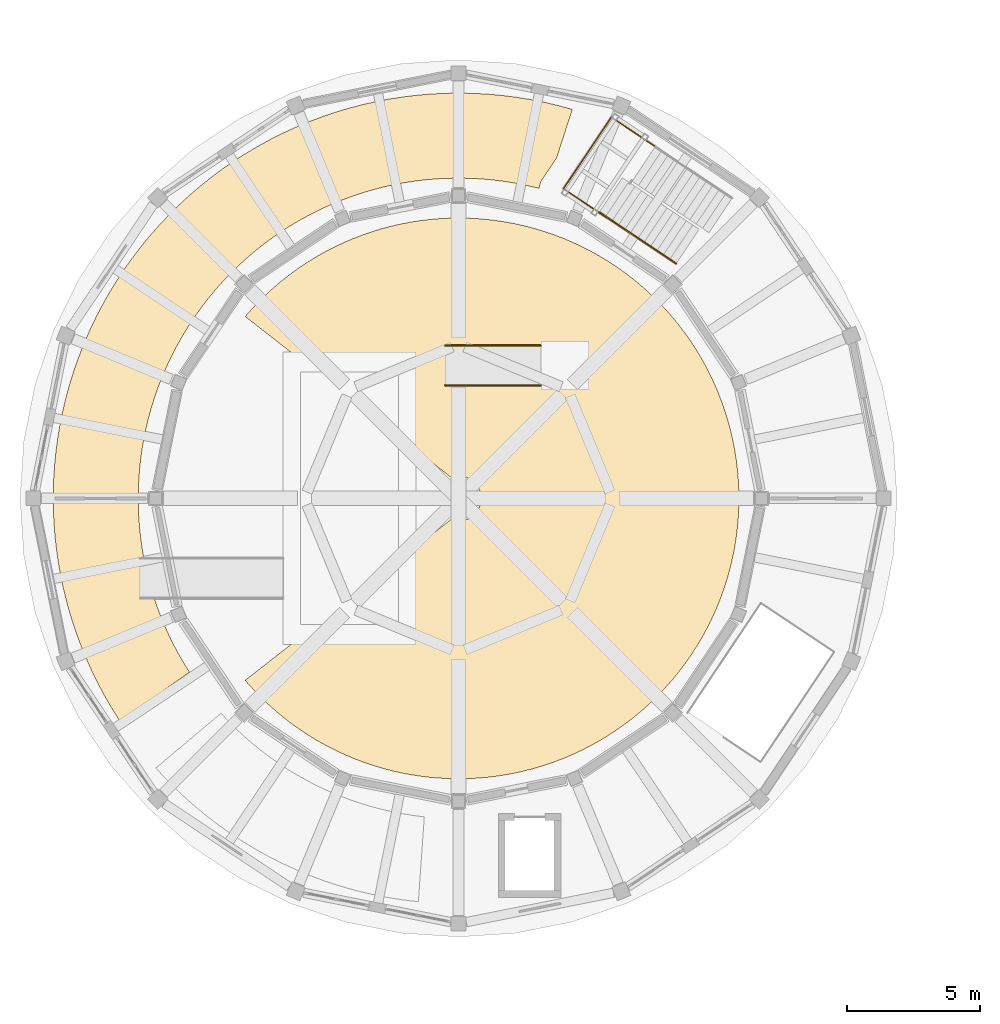
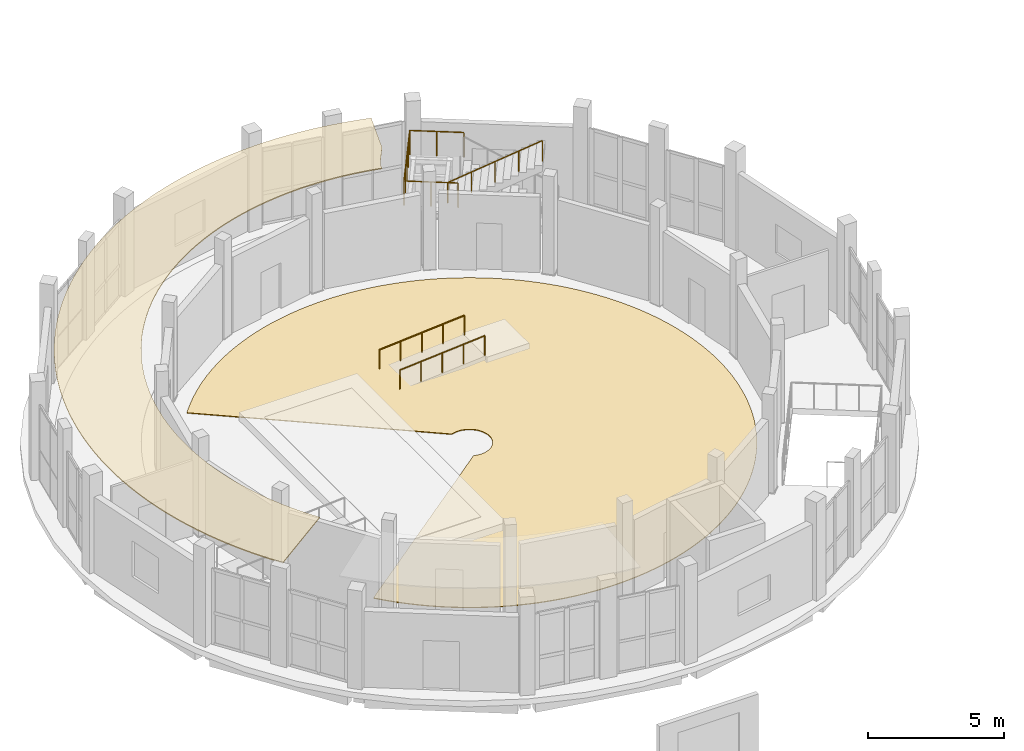
# One storey, part 87 of 92: 4 railings, 2 coverings.
"""IFC4 building model written with IfcOpenShell, lengths in metres."""

from ifc_helpers import new_model, si_unit, direction, frame, origin, origin_2d, place, context, subcontext, project, spatial, polyline, circle, outline, extrude, material, layer, layer_set, type_object, element, save


model = new_model("IFC4")

# Units and contexts
model_context = context("Model", 3, precision=1e-05, world=origin(), true_north=direction((0.0, 1.0)))
body_context = subcontext(model_context, "Body", "Model", "MODEL_VIEW")
ifc_project = project(units=[si_unit("LENGTHUNIT", "METRE"), si_unit("AREAUNIT", "SQUARE_METRE"), si_unit("VOLUMEUNIT", "CUBIC_METRE"), si_unit("PLANEANGLEUNIT", "RADIAN"), si_unit("MASSUNIT", "GRAM", prefix="KILO")], contexts=[model_context])

# Site, building, storey
site_placement = place(None, origin())
site = spatial("IfcSite", under=ifc_project, at=site_placement, CompositionType="ELEMENT")
building_placement = place(site_placement, origin())
building = spatial("IfcBuilding", under=site, at=building_placement, Name="Caldaven Crescent School", CompositionType="ELEMENT")
storey_placement = place(building_placement, origin())
storey = spatial("IfcBuildingStorey", under=building, at=storey_placement, Name="L00", CompositionType="ELEMENT", Elevation=0.0)

# Coverings
ifc_material_1 = material(Name="Perforated Pino Radiata acoustic timber baffle ceiling", Category="wood")
ifc_layer_1 = layer(ifc_material_1, 0.0458984375)
ifc_layer_set_1 = layer_set([ifc_layer_1], Name="Perforated Pino Radiata acoustic timber baffle ceiling")
covering_type_1 = type_object("IfcCoveringType", Name="COV-CLG3", PredefinedType="CEILING", material=ifc_layer_set_1)
covering_1_placement = place(storey_placement, frame((0.0, 0.0, 4.154052734375)))
element("IfcCovering", 1, at=covering_1_placement, inside=storey, type_object=covering_type_1, Name="CLG-L00-022", PredefinedType="CEILING", context=body_context, shape_type="SweptSolid", body=[
    extrude(outline(polyline([(10.75634765625, 90.126220703125), (10.71240234375, 90.191162109375), (10.43212890625, 90.639404296875), (10.16748046875, 91.096923828125), (9.9189453125, 91.5634765625), (9.686767578125, 92.038330078125), (9.470947265625, 92.52099609375), (9.272216796875, 93.0107421875), (9.090576171875, 93.507080078125), (8.92626953125, 94.009521484375), (8.779296875, 94.517333984375), (8.650146484375, 95.02978515625), (8.538818359375, 95.546630859375), (8.4453125, 96.06689453125), (8.3701171875, 96.590087890625), (8.31298828125, 97.11572265625), (8.274169921875, 97.642822265625), (8.253662109375, 98.1708984375), (8.251220703125, 98.69970703125), (8.267578125, 99.22802734375), (8.3017578125, 99.75537109375), (8.3544921875, 100.281494140625), (8.42529296875, 100.805419921875), (8.514404296875, 101.326416015625), (8.62109375, 101.843994140625), (8.74609375, 102.357666015625), (8.888671875, 102.86669921875), (9.048583984375, 103.37060546875), (9.226318359375, 103.868408203125), (9.4208984375, 104.359619140625), (9.63232421875, 104.84423828125), (9.860595703125, 105.321044921875), (10.10498046875, 105.789794921875), (10.36572265625, 106.24951171875), (10.642333984375, 106.699951171875), (10.934326171875, 107.140625), (11.2412109375, 107.571044921875), (11.56298828125, 107.990478515625), (11.899169921875, 108.3984375), (12.2490234375, 108.79443359375), (12.612548828125, 109.17822265625), (12.9892578125, 109.54931640625), (13.37841796875, 109.90673828125), (13.77978515625, 110.250732421875), (14.193115234375, 110.58056640625), (14.6171875, 110.89599609375), (15.05224609375, 111.1962890625), (15.497314453125, 111.4814453125), (15.951904296875, 111.7509765625), (16.415771484375, 112.004638671875), (16.887939453125, 112.241943359375), (17.3681640625, 112.462890625), (17.855712890625, 112.6669921875), (18.350341796875, 112.85400390625), (18.850830078125, 113.02392578125), (19.35693359375, 113.176513671875), (19.8681640625, 113.311279296875), (20.383544921875, 113.427978515625), (20.90283203125, 113.527099609375), (21.42529296875, 113.608154296875), (21.949951171875, 113.6708984375), (22.476806640625, 113.715576171875), (23.004638671875, 113.741943359375), (23.533203125, 113.75), (24.061767578125, 113.739501953125), (24.589599609375, 113.7109375), (25.1162109375, 113.6640625), (25.640625, 113.598876953125), (26.16259765625, 113.515625), (26.681396484375, 113.414306640625), (27.196533203125, 113.295166015625), (27.70703125, 113.158203125), (27.781982421875, 113.13525390625), (27.189697265625, 111.311767578125), (26.6494140625, 110.503173828125), (26.63818359375, 110.4853515625), (26.62548828125, 110.464111328125), (26.6044921875, 110.42529296875), (26.593994140625, 110.403076171875), (26.576416015625, 110.360595703125), (26.568115234375, 110.33740234375), (26.555908203125, 110.296875), (26.5498046875, 110.273193359375), (26.541015625, 110.22900390625), (26.53759765625, 110.20458984375), (26.533203125, 110.160888671875), (26.533203125, 110.16064453125), (26.42822265625, 110.188720703125), (26.4130859375, 110.1923828125), (26.021484375, 110.283203125), (26.006103515625, 110.28662109375), (25.611572265625, 110.363525390625), (25.59619140625, 110.3662109375), (25.19921875, 110.429443359375), (25.183837890625, 110.431640625), (24.784912109375, 110.481201171875), (24.769287109375, 110.48291015625), (24.368896484375, 110.5185546875), (24.35302734375, 110.519775390625), (23.95166015625, 110.54150390625), (23.93603515625, 110.5419921875), (23.5341796875, 110.5498046875), (23.5185546875, 110.5498046875), (23.116455078125, 110.543701171875), (23.100830078125, 110.543212890625), (22.69921875, 110.523193359375), (22.68359375, 110.522216796875), (22.282958984375, 110.48828125), (22.267578125, 110.48681640625), (21.868408203125, 110.43896484375), (21.852783203125, 110.436767578125), (21.45556640625, 110.375244140625), (21.440185546875, 110.37255859375), (21.045166015625, 110.297119140625), (21.02978515625, 110.2939453125), (20.6376953125, 110.205078125), (20.622802734375, 110.201416015625), (20.23388671875, 110.098876953125), (20.218994140625, 110.094482421875), (19.833984375, 109.978759765625), (19.819091796875, 109.973876953125), (19.438232421875, 109.8447265625), (19.423583984375, 109.839599609375), (19.047607421875, 109.697265625), (19.032958984375, 109.69140625), (18.662109375, 109.5361328125), (18.64794921875, 109.52978515625), (18.28271484375, 109.36181640625), (18.2685546875, 109.35498046875), (17.9091796875, 109.174560546875), (17.8955078125, 109.167236328125), (17.54248046875, 108.974365234375), (17.52880859375, 108.966552734375), (17.18310546875, 108.761474609375), (17.169921875, 108.75341796875), (16.831298828125, 108.536376953125), (16.818359375, 108.52783203125), (16.487548828125, 108.29931640625), (16.47509765625, 108.290283203125), (16.152099609375, 108.05029296875), (16.1396484375, 108.040771484375), (15.825439453125, 107.789794921875), (15.8134765625, 107.780029296875), (15.50830078125, 107.518310546875), (15.49658203125, 107.508056640625), (15.200439453125, 107.236083984375), (15.189208984375, 107.225341796875), (14.902587890625, 106.943115234375), (14.8916015625, 106.931884765625), (14.615234375, 106.64013671875), (14.604736328125, 106.628662109375), (14.33837890625, 106.327392578125), (14.328369140625, 106.3154296875), (14.07275390625, 106.005126953125), (14.06298828125, 105.992919921875), (13.818115234375, 105.673583984375), (13.80908203125, 105.661376953125), (13.575439453125, 105.333984375), (13.56640625, 105.321044921875), (13.344482421875, 104.98583984375), (13.336181640625, 104.972900390625), (13.1259765625, 104.630126953125), (13.117919921875, 104.61669921875), (12.919677734375, 104.266845703125), (12.912109375, 104.253173828125), (12.72607421875, 103.896728515625), (12.718994140625, 103.8828125), (12.545654296875, 103.52001953125), (12.5390625, 103.506103515625), (12.378173828125, 103.137451171875), (12.3720703125, 103.123046875), (12.22412109375, 102.749267578125), (12.218505859375, 102.734619140625), (12.08349609375, 102.355712890625), (12.07861328125, 102.341064453125), (11.956787109375, 101.957763671875), (11.952392578125, 101.94287109375), (11.843994140625, 101.5556640625), (11.840087890625, 101.54052734375), (11.7451171875, 101.14990234375), (11.74169921875, 101.134521484375), (11.660400390625, 100.740966796875), (11.657470703125, 100.7255859375), (11.589599609375, 100.329345703125), (11.58740234375, 100.313720703125), (11.533447265625, 99.915283203125), (11.531494140625, 99.89990234375), (11.49169921875, 99.499755859375), (11.490478515625, 99.484375), (11.464111328125, 99.0830078125), (11.46337890625, 99.0673828125), (11.451171875, 98.66552734375), (11.450927734375, 98.64990234375), (11.45263671875, 98.247802734375), (11.452880859375, 98.232421875), (11.468505859375, 97.83056640625), (11.469482421875, 97.81494140625), (11.4990234375, 97.413818359375), (11.50048828125, 97.3984375), (11.5439453125, 96.998779296875), (11.5458984375, 96.983154296875), (11.603271484375, 96.585205078125), (11.605712890625, 96.56982421875), (11.6767578125, 96.174072265625), (11.6796875, 96.15869140625), (11.764404296875, 95.765625), (11.76806640625, 95.75048828125), (11.8662109375, 95.360595703125), (11.870361328125, 95.345458984375), (11.98193359375, 94.959228515625), (11.986572265625, 94.9443359375), (12.111572265625, 94.562255859375), (12.11669921875, 94.54736328125), (12.2548828125, 94.169921875), (12.260498046875, 94.155517578125), (12.41162109375, 93.78271484375), (12.41796875, 93.768310546875), (12.58203125, 93.4013671875), (12.58837890625, 93.38720703125), (12.76513671875, 93.02587890625), (12.772216796875, 93.01220703125), (12.96142578125, 92.6572265625), (12.968994140625, 92.6435546875), (13.170166015625, 92.29541015625), (13.17822265625, 92.281982421875), (13.37841796875, 91.962158203125), (10.75634765625, 90.126220703125)])), origin(), (0.0, 0.0, 1.0), 0.0458984375),
])
ifc_material_2 = material(Name="Polished terrazzo and acoustic linoleum flooring")
ifc_layer_2 = layer(ifc_material_2, 0.031982421875)
ifc_layer_set_2 = layer_set([ifc_layer_2], Name="Polished terrazzo and acoustic linoleum flooring")
covering_type_2 = type_object("IfcCoveringType", Name="COV-FLR3", PredefinedType="FLOORING", material=ifc_layer_set_2)
covering_2_placement = place(storey_placement, origin())
element("IfcCovering", 2, at=covering_2_placement, inside=storey, type_object=covering_type_2, Name="FLR-L00-020", PredefinedType="FLOORING", context=body_context, shape_type="SweptSolid", body=[
    extrude(outline(polyline([(15.471923828125, 91.65673828125), (23.208984375, 97.701416015625), (23.218017578125, 97.6982421875), (23.231201171875, 97.693603515625), (23.243896484375, 97.689697265625), (23.257080078125, 97.685546875), (23.273681640625, 97.6806640625), (23.287353515625, 97.677001953125), (23.300048828125, 97.673828125), (23.313720703125, 97.670654296875), (23.3330078125, 97.66650390625), (23.3466796875, 97.6640625), (23.359619140625, 97.66162109375), (23.37353515625, 97.659423828125), (23.3896484375, 97.6572265625), (23.403564453125, 97.655517578125), (23.41943359375, 97.65380859375), (23.433349609375, 97.652587890625), (23.4462890625, 97.651611328125), (23.460205078125, 97.65087890625), (23.4794921875, 97.650146484375), (23.49365234375, 97.64990234375), (23.50634765625, 97.64990234375), (23.5205078125, 97.650146484375), (23.539794921875, 97.65087890625), (23.5537109375, 97.651611328125), (23.566650390625, 97.652587890625), (23.58056640625, 97.65380859375), (23.596435546875, 97.655517578125), (23.6103515625, 97.6572265625), (23.62646484375, 97.659423828125), (23.640380859375, 97.66162109375), (23.6533203125, 97.6640625), (23.6669921875, 97.66650390625), (23.686279296875, 97.670654296875), (23.699951171875, 97.673828125), (23.712646484375, 97.677001953125), (23.726318359375, 97.6806640625), (23.742919921875, 97.685546875), (23.756103515625, 97.689697265625), (23.768798828125, 97.693603515625), (23.781982421875, 97.6982421875), (23.79833984375, 97.7041015625), (23.811279296875, 97.708984375), (23.826416015625, 97.715087890625), (23.839111328125, 97.720703125), (23.853515625, 97.72705078125), (23.8662109375, 97.73291015625), (23.877685546875, 97.73876953125), (23.890380859375, 97.7451171875), (23.906982421875, 97.753662109375), (23.919189453125, 97.760498046875), (23.931396484375, 97.767578125), (23.943603515625, 97.77490234375), (23.95703125, 97.783447265625), (23.96875, 97.791015625), (23.982177734375, 97.800048828125), (23.99365234375, 97.80810546875), (24.005126953125, 97.81640625), (24.016357421875, 97.82470703125), (24.030517578125, 97.8359375), (24.04150390625, 97.8447265625), (24.05029296875, 97.852294921875), (24.060791015625, 97.861328125), (24.076171875, 97.875), (24.086181640625, 97.884521484375), (24.09619140625, 97.89404296875), (24.10595703125, 97.90380859375), (24.115478515625, 97.913818359375), (24.125, 97.923828125), (24.138671875, 97.939208984375), (24.147705078125, 97.94970703125), (24.1552734375, 97.95849609375), (24.1640625, 97.969482421875), (24.17529296875, 97.983642578125), (24.18359375, 97.994873046875), (24.19189453125, 98.00634765625), (24.199951171875, 98.017822265625), (24.208984375, 98.03125), (24.216552734375, 98.04296875), (24.22509765625, 98.056396484375), (24.232421875, 98.068603515625), (24.239501953125, 98.080810546875), (24.246337890625, 98.093017578125), (24.2548828125, 98.109619140625), (24.26123046875, 98.122314453125), (24.26708984375, 98.1337890625), (24.27294921875, 98.146484375), (24.279296875, 98.160888671875), (24.284912109375, 98.173583984375), (24.291015625, 98.188720703125), (24.2958984375, 98.20166015625), (24.3017578125, 98.218017578125), (24.306396484375, 98.231201171875), (24.310302734375, 98.243896484375), (24.314453125, 98.257080078125), (24.3193359375, 98.273681640625), (24.322998046875, 98.287353515625), (24.326171875, 98.300048828125), (24.329345703125, 98.313720703125), (24.33349609375, 98.3330078125), (24.3359375, 98.3466796875), (24.33837890625, 98.359619140625), (24.340576171875, 98.37353515625), (24.3427734375, 98.3896484375), (24.344482421875, 98.403564453125), (24.34619140625, 98.41943359375), (24.347412109375, 98.433349609375), (24.348388671875, 98.4462890625), (24.34912109375, 98.460205078125), (24.349853515625, 98.4794921875), (24.35009765625, 98.49365234375), (24.35009765625, 98.50634765625), (24.349853515625, 98.5205078125), (24.34912109375, 98.539794921875), (24.348388671875, 98.5537109375), (24.347412109375, 98.566650390625), (24.34619140625, 98.58056640625), (24.344482421875, 98.596435546875), (24.3427734375, 98.6103515625), (24.340576171875, 98.62646484375), (24.33837890625, 98.640380859375), (24.3359375, 98.6533203125), (24.33349609375, 98.6669921875), (24.329345703125, 98.686279296875), (24.326171875, 98.699951171875), (24.322998046875, 98.712646484375), (24.3193359375, 98.726318359375), (24.314453125, 98.742919921875), (24.310302734375, 98.756103515625), (24.306396484375, 98.768798828125), (24.3017578125, 98.781982421875), (24.2958984375, 98.79833984375), (24.291015625, 98.811279296875), (24.284912109375, 98.826416015625), (24.279296875, 98.839111328125), (24.27294921875, 98.853515625), (24.26708984375, 98.8662109375), (24.26123046875, 98.877685546875), (24.2548828125, 98.890380859375), (24.246337890625, 98.906982421875), (24.239501953125, 98.919189453125), (24.232421875, 98.931396484375), (24.22509765625, 98.943603515625), (24.216552734375, 98.95703125), (24.208984375, 98.96875), (24.199951171875, 98.982177734375), (24.19189453125, 98.99365234375), (24.18359375, 99.005126953125), (24.17529296875, 99.016357421875), (24.1640625, 99.030517578125), (24.1552734375, 99.04150390625), (24.147705078125, 99.05029296875), (24.138671875, 99.060791015625), (24.125, 99.076171875), (24.115478515625, 99.086181640625), (24.10595703125, 99.09619140625), (24.09619140625, 99.10595703125), (24.086181640625, 99.115478515625), (24.076171875, 99.125), (24.060791015625, 99.138671875), (24.05029296875, 99.147705078125), (24.04150390625, 99.1552734375), (24.030517578125, 99.1640625), (24.016357421875, 99.17529296875), (24.005126953125, 99.18359375), (23.99365234375, 99.19189453125), (23.982177734375, 99.199951171875), (23.96875, 99.208984375), (23.95703125, 99.216552734375), (23.943603515625, 99.22509765625), (23.931396484375, 99.232421875), (23.919189453125, 99.239501953125), (23.906982421875, 99.246337890625), (23.890380859375, 99.2548828125), (23.877685546875, 99.26123046875), (23.8662109375, 99.26708984375), (23.853515625, 99.27294921875), (23.839111328125, 99.279296875), (23.826416015625, 99.284912109375), (23.811279296875, 99.291015625), (23.79833984375, 99.2958984375), (23.781982421875, 99.3017578125), (23.768798828125, 99.306396484375), (23.756103515625, 99.310302734375), (23.742919921875, 99.314453125), (23.726318359375, 99.3193359375), (23.712646484375, 99.322998046875), (23.699951171875, 99.326171875), (23.686279296875, 99.329345703125), (23.6669921875, 99.33349609375), (23.6533203125, 99.3359375), (23.640380859375, 99.33837890625), (23.62646484375, 99.340576171875), (23.6103515625, 99.3427734375), (23.596435546875, 99.344482421875), (23.58056640625, 99.34619140625), (23.566650390625, 99.347412109375), (23.5537109375, 99.348388671875), (23.539794921875, 99.34912109375), (23.5205078125, 99.349853515625), (23.50634765625, 99.35009765625), (23.49365234375, 99.35009765625), (23.4794921875, 99.349853515625), (23.460205078125, 99.34912109375), (23.4462890625, 99.348388671875), (23.433349609375, 99.347412109375), (23.41943359375, 99.34619140625), (23.403564453125, 99.344482421875), (23.3896484375, 99.3427734375), (23.37353515625, 99.340576171875), (23.359619140625, 99.33837890625), (23.3466796875, 99.3359375), (23.3330078125, 99.33349609375), (23.313720703125, 99.329345703125), (23.300048828125, 99.326171875), (23.287353515625, 99.322998046875), (23.273681640625, 99.3193359375), (23.257080078125, 99.314453125), (23.243896484375, 99.310302734375), (23.231201171875, 99.306396484375), (23.218017578125, 99.3017578125), (23.208984375, 99.298583984375), (15.471923828125, 105.34326171875), (15.659912109375, 105.55908203125), (15.910888671875, 105.82861328125), (16.17138671875, 106.089111328125), (16.44091796875, 106.340087890625), (16.718505859375, 106.581787109375), (17.0048828125, 106.8134765625), (17.298828125, 107.03515625), (17.6005859375, 107.246337890625), (17.909423828125, 107.44677734375), (18.22509765625, 107.636474609375), (18.547119140625, 107.81494140625), (18.875244140625, 107.982177734375), (19.208984375, 108.1376953125), (19.5478515625, 108.28173828125), (19.8916015625, 108.413818359375), (20.239990234375, 108.53369140625), (20.592041015625, 108.641357421875), (20.94775390625, 108.736572265625), (21.306640625, 108.8193359375), (21.66796875, 108.8896484375), (22.03173828125, 108.947265625), (22.397216796875, 108.9921875), (22.76416015625, 109.024169921875), (23.1318359375, 109.04345703125), (23.5, 109.0498046875), (23.8681640625, 109.04345703125), (24.23583984375, 109.024169921875), (24.602783203125, 108.9921875), (24.96826171875, 108.947265625), (25.33203125, 108.8896484375), (25.693359375, 108.8193359375), (26.05224609375, 108.736572265625), (26.407958984375, 108.641357421875), (26.760009765625, 108.53369140625), (27.1083984375, 108.413818359375), (27.4521484375, 108.28173828125), (27.791015625, 108.1376953125), (28.124755859375, 107.982177734375), (28.452880859375, 107.81494140625), (28.77490234375, 107.636474609375), (29.090576171875, 107.44677734375), (29.3994140625, 107.246337890625), (29.701171875, 107.03515625), (29.9951171875, 106.8134765625), (30.281494140625, 106.581787109375), (30.55908203125, 106.340087890625), (30.82861328125, 106.089111328125), (31.089111328125, 105.82861328125), (31.340087890625, 105.55908203125), (31.581787109375, 105.281494140625), (31.8134765625, 104.9951171875), (32.03515625, 104.701171875), (32.246337890625, 104.3994140625), (32.44677734375, 104.090576171875), (32.636474609375, 103.77490234375), (32.81494140625, 103.452880859375), (32.982177734375, 103.124755859375), (33.1376953125, 102.791015625), (33.28173828125, 102.4521484375), (33.413818359375, 102.1083984375), (33.53369140625, 101.760009765625), (33.641357421875, 101.407958984375), (33.736572265625, 101.05224609375), (33.8193359375, 100.693359375), (33.8896484375, 100.33203125), (33.947265625, 99.96826171875), (33.9921875, 99.602783203125), (34.024169921875, 99.23583984375), (34.04345703125, 98.8681640625), (34.0498046875, 98.5), (34.04345703125, 98.1318359375), (34.024169921875, 97.76416015625), (33.9921875, 97.397216796875), (33.947265625, 97.03173828125), (33.8896484375, 96.66796875), (33.8193359375, 96.306640625), (33.736572265625, 95.94775390625), (33.641357421875, 95.592041015625), (33.53369140625, 95.239990234375), (33.413818359375, 94.8916015625), (33.28173828125, 94.5478515625), (33.1376953125, 94.208984375), (32.982177734375, 93.875244140625), (32.81494140625, 93.547119140625), (32.636474609375, 93.22509765625), (32.44677734375, 92.909423828125), (32.246337890625, 92.6005859375), (32.03515625, 92.298828125), (31.8134765625, 92.0048828125), (31.581787109375, 91.718505859375), (31.340087890625, 91.44091796875), (31.089111328125, 91.17138671875), (30.82861328125, 90.910888671875), (30.55908203125, 90.659912109375), (30.281494140625, 90.418212890625), (29.9951171875, 90.1865234375), (29.701171875, 89.96484375), (29.3994140625, 89.753662109375), (29.090576171875, 89.55322265625), (28.77490234375, 89.363525390625), (28.452880859375, 89.18505859375), (28.124755859375, 89.017822265625), (27.791015625, 88.8623046875), (27.4521484375, 88.71826171875), (27.1083984375, 88.586181640625), (26.760009765625, 88.46630859375), (26.407958984375, 88.358642578125), (26.05224609375, 88.263427734375), (25.693359375, 88.1806640625), (25.33203125, 88.1103515625), (24.96826171875, 88.052734375), (24.602783203125, 88.0078125), (24.23583984375, 87.975830078125), (23.8681640625, 87.95654296875), (23.5, 87.9501953125), (23.1318359375, 87.95654296875), (22.76416015625, 87.975830078125), (22.397216796875, 88.0078125), (22.03173828125, 88.052734375), (21.66796875, 88.1103515625), (21.306640625, 88.1806640625), (20.94775390625, 88.263427734375), (20.592041015625, 88.358642578125), (20.239990234375, 88.46630859375), (19.8916015625, 88.586181640625), (19.5478515625, 88.71826171875), (19.208984375, 88.8623046875), (18.875244140625, 89.017822265625), (18.547119140625, 89.18505859375), (18.22509765625, 89.363525390625), (17.909423828125, 89.55322265625), (17.6005859375, 89.753662109375), (17.298828125, 89.96484375), (17.0048828125, 90.1865234375), (16.718505859375, 90.418212890625), (16.44091796875, 90.659912109375), (16.17138671875, 90.910888671875), (15.910888671875, 91.17138671875), (15.659912109375, 91.44091796875), (15.471923828125, 91.65673828125)])), origin(), (0.0, 0.0, 1.0), 0.031982421875),
])

# Railings
ifc_material_3 = material(Name="Brushed stainless-steel continuous tubular handrail", Category="steel")
railing_type_1 = type_object("IfcRailingType", Name="RAL-HR2", PredefinedType="HANDRAIL", material=ifc_material_3)
for number, where, name in (
    (3, (23.0, 102.75, 0.0), "HR-RMP2-L"),
    (4, (23.0, 104.25, 0.0), "HR-RMP2-R"),
):
    element("IfcRailing", number, at=place(storey_placement, frame(where)), inside=storey, type_object=railing_type_1, Name=name, PredefinedType="HANDRAIL", context=body_context, shape_type="SweptSolid", body=[
        extrude(circle(Radius=0.02392578125, at=origin_2d()), frame((0.0, 0.0, 0.8759765625), z_axis=(0.996988498323, 0.0, 0.077549559716), x_axis=(0.0, 1.0, 0.0)), (0.0, 0.0, 1.0), 3.611083984375),
        extrude(circle(Radius=0.02099609375, at=origin_2d()), origin(), (0.0, 0.0, 1.0), 0.851806640625),
        extrude(circle(Radius=0.02099609375, at=origin_2d()), frame((0.89990234375, 0.0, 0.070068359375)), (0.0, 0.0, 1.0), 0.851806640625),
        extrude(circle(Radius=0.02099609375, at=origin_2d()), frame((1.800048828125, 0.0, 0.14013671875)), (0.0, 0.0, 1.0), 0.851806640625),
        extrude(circle(Radius=0.02099609375, at=origin_2d()), frame((2.7001953125, 0.0, 0.2099609375)), (0.0, 0.0, 1.0), 0.851806640625),
        extrude(circle(Radius=0.02099609375, at=origin_2d()), frame((3.60009765625, 0.0, 0.280029296875)), (0.0, 0.0, 1.0), 0.851806640625),
    ])
railing_type_2 = type_object("IfcRailingType", Name="RAL-HR4", PredefinedType="HANDRAIL", material=ifc_material_3)
railing_1_placement = place(storey_placement, frame((28.794677734375, 109.26806640625, 2.383056640625)))
element("IfcRailing", 5, at=railing_1_placement, inside=storey, type_object=railing_type_2, Name="HR-STV2-L00-F2", PredefinedType="HANDRAIL", context=body_context, shape_type="SweptSolid", body=[
    extrude(circle(Radius=0.02392578125, at=origin_2d()), frame((0.0, 0.0, 0.916015625), z_axis=(0.717311466394, -0.479276873302, 0.505725161424), x_axis=(0.555557951669, 0.831477818308, 0.0)), (0.0, 0.0, 1.0), 4.033935546875),
    extrude(circle(Radius=0.02099609375, at=origin_2d()), origin(), (0.0, 0.0, 1.0), 0.891845703125),
    extrude(circle(Radius=0.02099609375, at=origin_2d()), frame((0.723388671875, -0.4833984375, 0.510009765625)), (0.0, 0.0, 1.0), 0.891845703125),
    extrude(circle(Radius=0.02099609375, at=origin_2d()), frame((1.44677734375, -0.966796875, 1.02001953125)), (0.0, 0.0, 1.0), 0.891845703125),
    extrude(circle(Radius=0.02099609375, at=origin_2d()), frame((2.170166015625, -1.449951171875, 1.530029296875)), (0.0, 0.0, 1.0), 0.891845703125),
    extrude(circle(Radius=0.02099609375, at=origin_2d()), frame((2.8935546875, -1.933349609375, 2.0400390625)), (0.0, 0.0, 1.0), 0.891845703125),
])
ifc_material_4 = material(Name="Powder-coated tubular steel balustrade ASTM A572 Grade 50", Category="steel")
railing_type_3 = type_object("IfcRailingType", Name="RAL-INT2", PredefinedType="BALUSTRADE", material=ifc_material_4)
railing_2_placement = place(storey_placement, frame((30.90234375, 111.738525390625, 2.2099609375)))
element("IfcRailing", 6, at=railing_2_placement, inside=storey, type_object=railing_type_3, Name="GD-LND-STV2-L00", PredefinedType="BALUSTRADE", context=body_context, shape_type="SweptSolid", body=[
    extrude(circle(Radius=0.02392578125, at=origin_2d()), frame((0.0, 0.0, 1.09619140625), z_axis=(-0.831483590071, 0.555549313242, 0.0), x_axis=(-0.555549313242, -0.831483590071, 0.0)), (0.0, 0.0, 1.0), 1.98974609375),
    extrude(circle(Radius=0.02392578125, at=origin_2d()), frame((-1.654541015625, 1.10546875, 1.09619140625), z_axis=(-0.555586742461, -0.83145858081, 0.0), x_axis=(0.83145858081, -0.555586742461, 0.0)), (0.0, 0.0, 1.0), 3.239990234375),
    extrude(circle(Radius=0.02392578125, at=origin_2d()), frame((-3.45458984375, -1.58837890625, 1.09619140625), z_axis=(0.831426914481, -0.55563412951, 0.0), x_axis=(0.55563412951, 0.831426914481, 0.0)), (0.0, 0.0, 1.0), 1.989990234375),
    extrude(circle(Radius=0.02099609375, at=origin_2d()), origin(), (0.0, 0.0, 1.0), 1.072021484375),
    extrude(circle(Radius=0.02099609375, at=origin_2d()), frame((-0.8271484375, 0.552734375, 0.0)), (0.0, 0.0, 1.0), 1.072021484375),
    extrude(circle(Radius=0.02099609375, at=origin_2d()), frame((-1.654541015625, 1.10546875, 0.0)), (0.0, 0.0, 1.0), 1.072021484375),
    extrude(circle(Radius=0.02099609375, at=origin_2d()), frame((-2.1044921875, 0.43212890625, 0.0)), (0.0, 0.0, 1.0), 1.072021484375),
    extrude(circle(Radius=0.02099609375, at=origin_2d()), frame((-2.5546875, -0.241455078125, 0.0)), (0.0, 0.0, 1.0), 1.072021484375),
    extrude(circle(Radius=0.02099609375, at=origin_2d()), frame((-3.004638671875, -0.9150390625, 0.0)), (0.0, 0.0, 1.0), 1.072021484375),
    extrude(circle(Radius=0.02099609375, at=origin_2d()), frame((-3.45458984375, -1.58837890625, 0.0)), (0.0, 0.0, 1.0), 1.072021484375),
    extrude(circle(Radius=0.02099609375, at=origin_2d()), frame((-2.62744140625, -2.14111328125, 0.0)), (0.0, 0.0, 1.0), 1.072021484375),
    extrude(circle(Radius=0.02099609375, at=origin_2d()), frame((-1.800048828125, -2.694091796875, 0.0)), (0.0, 0.0, 1.0), 1.072021484375),
])

save(model, "model.ifc")
